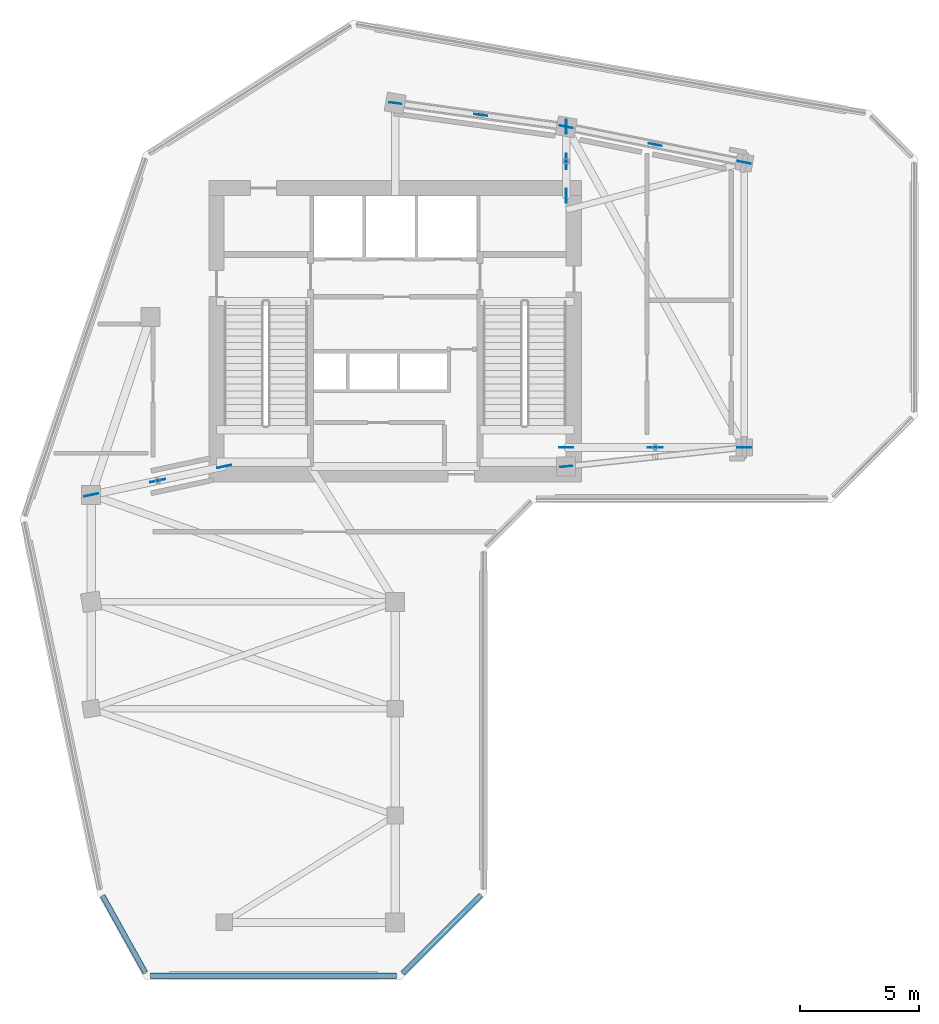
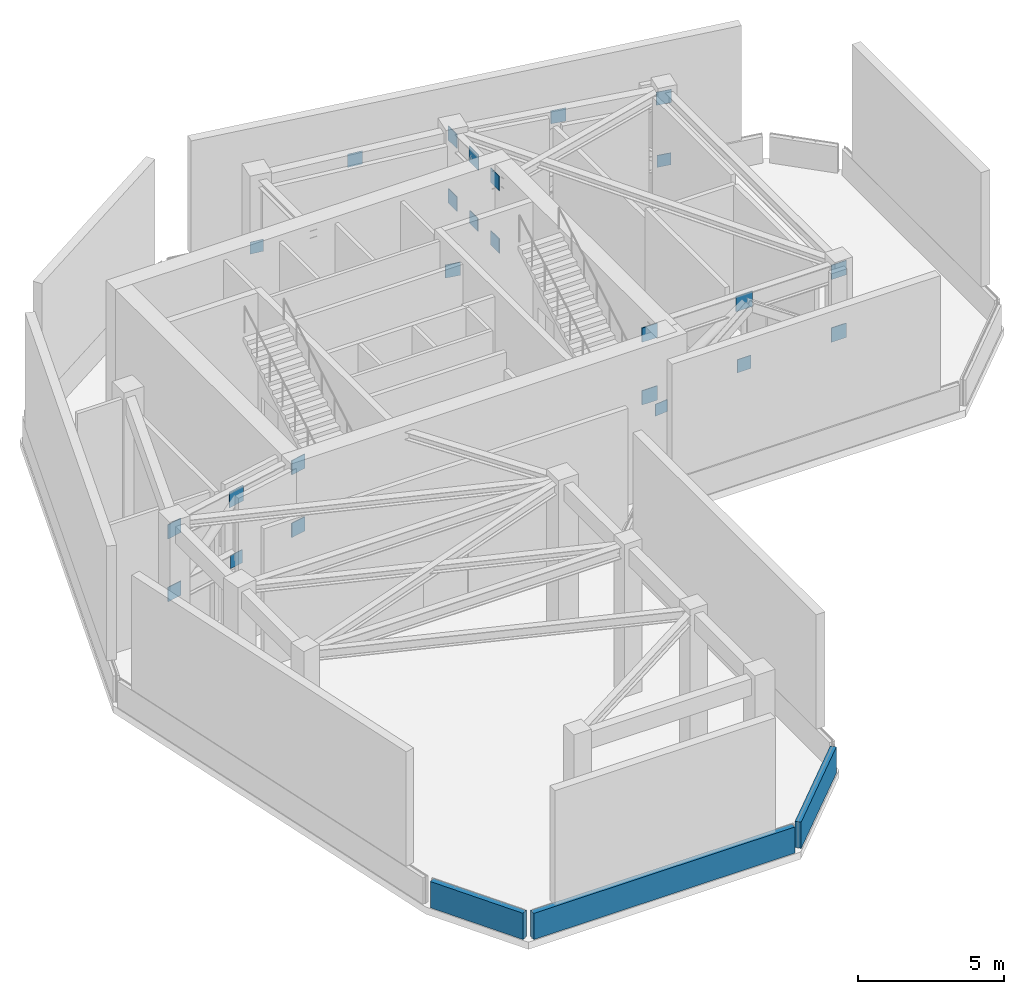
# One storey, part 5 of 10: 25 plates, 3 walls.
"""IFC4 building model written with IfcOpenShell, lengths in metres."""

from ifc_helpers import new_model, si_unit, direction, frame, frame_2d, origin, origin_2d, place, context, subcontext, project, spatial, rectangle, extrude, source, transform, mapped, material, layer, layer_set, type_object, element, save


model = new_model("IFC4")

# Units and contexts
model_context = context("Model", 3, precision=1e-05, world=origin(), true_north=direction((0.0, 1.0)))
body_context = subcontext(model_context, "Body", "Model", "MODEL_VIEW")
ifc_project = project(units=[si_unit("LENGTHUNIT", "METRE"), si_unit("AREAUNIT", "SQUARE_METRE"), si_unit("VOLUMEUNIT", "CUBIC_METRE"), si_unit("PLANEANGLEUNIT", "RADIAN"), si_unit("MASSUNIT", "GRAM", prefix="KILO")], contexts=[model_context])

# Site, building, storey
site_placement = place(None, origin())
site = spatial("IfcSite", under=ifc_project, at=site_placement, CompositionType="ELEMENT")
building_placement = place(site_placement, origin())
building = spatial("IfcBuilding", under=site, at=building_placement, Name="Calvemar Wedge Station Tower", CompositionType="ELEMENT")
storey_placement = place(building_placement, frame((0.0, 0.0, 242.89990234375)))
storey = spatial("IfcBuildingStorey", under=building, at=storey_placement, Name="L62", CompositionType="ELEMENT", Elevation=242.89990234375)

# Plates
ifc_material_1 = material(Name="Structural steel ASTM A572 Grade 50", Category="steel")
ifc_layer_1 = layer(ifc_material_1, 0.031982421875)
ifc_layer_set_1 = layer_set([ifc_layer_1], Name="Structural steel ASTM A572 Grade 50")
plate_type_1 = type_object("IfcPlateType", Name="PL-NP-32", PredefinedType="USERDEFINED", material=ifc_layer_set_1)
shared_shape_1 = source(origin(), body_context, "Body", "SweptSolid", [
    extrude(rectangle(XDim=0.64990234375, YDim=0.031982421875, at=origin_2d()), origin(), (0.0, 0.0, 1.0), 0.64990234375),
])
for number, where, z_axis, x_axis, name in (
    (1, (34.75, 35.0, 5.438720703125), (0.0, 0.0, 1.0), (1.0, 0.0, 0.0), "L62 Outrigger OT-E Gusset Plate"),
    (2, (13.800048828125, 33.60009765625, 5.438720703125), (0.0, 0.0, 1.0), (-0.977819807207, -0.209447904343, 0.0), "L62 Outrigger OT-W Gusset Plate"),
    (3, (31.0, 47.050048828125, 5.438720703125), (0.0, 0.0, 1.0), (0.0, 1.0, 0.0), "L62 Outrigger OT-N Gusset Plate"),
):
    element("IfcPlate", number, at=place(storey_placement, frame(where, z_axis=z_axis, x_axis=x_axis)), inside=storey, type_object=plate_type_1, Name=name, ObjectType="GUSSET PLATE", PredefinedType="USERDEFINED", context=body_context, shape_type="MappedRepresentation", body=[
        mapped(shared_shape_1, transform((0.0, 0.0, 0.0), scale=1.0)),
    ])
shared_shape_2 = source(origin(), body_context, "Body", "SweptSolid", [
    extrude(rectangle(XDim=0.60009765625, YDim=0.031982421875, at=origin_2d()), origin(), (0.0, 0.0, 1.0), 0.60009765625),
])
for number, where, z_axis, x_axis, name in (
    (4, (31.0, 35.0, 2.836669921875), (0.0, 0.0, 1.0), (1.0, 0.0, 0.0), "L62 Outrigger OT-E Core Gusset Plate"),
    (5, (31.0, 35.0, 5.463623046875), (0.0, 0.0, 1.0), (1.0, 0.0, 0.0), "L62 Outrigger OT-E Core Top Embed Plate"),
    (6, (38.5, 35.0, 2.836669921875), (0.0, 0.0, 1.0), (1.0, 0.0, 0.0), "L62 Outrigger OT-E Column Gusset Plate"),
    (7, (38.5, 35.0, 5.463623046875), (0.0, 0.0, 1.0), (1.0, 0.0, 0.0), "L62 Outrigger OT-E Column Top Gusset Plate"),
    (8, (16.60009765625, 34.199951171875, 2.836669921875), (0.0, 0.0, 1.0), (-0.977819807207, -0.209447904343, 0.0), "L62 Outrigger OT-W Core Gusset Plate"),
    (9, (16.60009765625, 34.199951171875, 5.463623046875), (0.0, 0.0, 1.0), (-0.977819807207, -0.209447904343, 0.0), "L62 Outrigger OT-W Core Top Embed Plate"),
    (10, (11.0, 33.0, 2.836669921875), (0.0, 0.0, 1.0), (-0.977819807207, -0.209447904343, 0.0), "L62 Outrigger OT-W Column Gusset Plate"),
    (11, (11.0, 33.0, 5.463623046875), (0.0, 0.0, 1.0), (-0.977819807207, -0.209447904343, 0.0), "L62 Outrigger OT-W Column Top Gusset Plate"),
    (12, (31.0, 45.60009765625, 2.836669921875), (0.0, 0.0, 1.0), (0.0, 1.0, 0.0), "L62 Outrigger OT-N Core Gusset Plate"),
    (13, (31.0, 45.60009765625, 5.463623046875), (0.0, 0.0, 1.0), (0.0, 1.0, 0.0), "L62 Outrigger OT-N Core Top Embed Plate"),
    (14, (31.0, 48.5, 2.836669921875), (0.0, 0.0, 1.0), (0.0, 1.0, 0.0), "L62 Outrigger OT-N Column Gusset Plate"),
    (15, (31.0, 48.5, 5.463623046875), (0.0, 0.0, 1.0), (0.0, 1.0, 0.0), "L62 Outrigger OT-N Column Top Gusset Plate"),
):
    element("IfcPlate", number, at=place(storey_placement, frame(where, z_axis=z_axis, x_axis=x_axis)), inside=storey, type_object=plate_type_1, Name=name, ObjectType="GUSSET PLATE", PredefinedType="USERDEFINED", context=body_context, shape_type="MappedRepresentation", body=[
        mapped(shared_shape_2, transform((0.0, 0.0, 0.0), scale=1.0)),
    ])
ifc_layer_2 = layer(ifc_material_1, 0.02490234375)
ifc_layer_set_2 = layer_set([ifc_layer_2], Name="Structural steel ASTM A572 Grade 50")
plate_type_2 = type_object("IfcPlateType", Name="PL-NP-25", PredefinedType="USERDEFINED", material=ifc_layer_set_2)
shared_shape_3 = source(origin(), body_context, "Body", "SweptSolid", [
    extrude(rectangle(XDim=0.550048828125, YDim=0.02490234375, at=origin_2d()), origin(), (0.0, 0.0, 1.0), 0.550048828125),
])
for number, where, z_axis, x_axis, name in (
    (16, (31.0, 48.5, -0.07470703125), (0.0, 0.0, 1.0), (0.980580444557, -0.196117290802, 0.0), "L62 Shift Strut Base Gusset"),
    (17, (38.5, 47.0, 5.4501953125), (0.0, 0.0, 1.0), (0.980580444557, -0.196117290802, 0.0), "L62 Shift Strut Head Gusset"),
    (18, (34.75, 35.0, 2.86181640625), (0.0, 0.0, 1.0), (1.0, 0.0, 0.0), "L62 Outrigger OT-E Mid Gusset Plate"),
    (19, (13.800048828125, 33.60009765625, 2.86181640625), (0.0, 0.0, 1.0), (-0.977819807207, -0.209447904343, 0.0), "L62 Outrigger OT-W Mid Gusset Plate"),
    (20, (31.0, 47.050048828125, 2.86181640625), (0.0, 0.0, 1.0), (0.0, 1.0, 0.0), "L62 Outrigger OT-N Mid Gusset Plate"),
    (21, (27.39990234375, 49.0, 5.53125), (0.0, 0.0, 1.0), (0.990485459553, -0.137617420457, 0.0), "L62 Belt Truss Node Plate 1"),
    (22, (34.75, 47.75, 5.53125), (0.0, 0.0, 1.0), (0.980580444557, -0.196117290802, 0.0), "L62 Belt Truss Node Plate 2"),
):
    element("IfcPlate", number, at=place(storey_placement, frame(where, z_axis=z_axis, x_axis=x_axis)), inside=storey, type_object=plate_type_2, Name=name, ObjectType="GUSSET PLATE", PredefinedType="USERDEFINED", context=body_context, shape_type="MappedRepresentation", body=[
        mapped(shared_shape_3, transform((0.0, 0.0, 0.0), scale=1.0)),
    ])
shared_shape_4 = source(origin(), body_context, "Body", "SweptSolid", [
    extrude(rectangle(XDim=0.5, YDim=0.02490234375, at=origin_2d()), origin(), (0.0, 0.0, 1.0), 0.5),
])
for number, where, z_axis, x_axis, name in (
    (23, (23.800048828125, 49.5, 2.843994140625), (0.0, 0.0, 1.0), (0.990485459553, -0.137617420457, 0.0), "L62 Belt Truss End Plate 1L"),
    (24, (38.5, 47.0, 2.843994140625), (0.0, 0.0, 1.0), (0.980580444557, -0.196117290802, 0.0), "L62 Belt Truss End Plate 2R"),
    (25, (31.0, 34.199951171875, 2.843994140625), (0.0, 0.0, 1.0), (0.994356475568, 0.106090525009, 0.0), "L62 Belt Truss End Plate 4L"),
):
    element("IfcPlate", number, at=place(storey_placement, frame(where, z_axis=z_axis, x_axis=x_axis)), inside=storey, type_object=plate_type_2, Name=name, ObjectType="GUSSET PLATE", PredefinedType="USERDEFINED", context=body_context, shape_type="MappedRepresentation", body=[
        mapped(shared_shape_4, transform((0.0, 0.0, 0.0), scale=1.0)),
    ])

# Walls
ifc_material_2 = material(Name="Precast concrete C45", Category="concrete")
ifc_layer_3 = layer(ifc_material_2, 0.219970703125)
ifc_layer_set_3 = layer_set([ifc_layer_3], Name="Precast concrete C45")
wall_type = type_object("IfcWallType", Name="W-PARA-220", PredefinedType="PARAPET", material=ifc_layer_set_3)
wall_1_placement = place(storey_placement, frame((11.47900390625, 16.12158203125, 0.0), z_axis=(0.0, 0.0, 1.0), x_axis=(0.48564852302, -0.87415416952, 0.0)))
element("IfcWall", 26, at=wall_1_placement, inside=storey, type_object=wall_type, Name="Wind Floor L62 Acoustic Curb Wall 1", PredefinedType="PARAPET", context=body_context, shape_type="SweptSolid", body=[
    extrude(rectangle(XDim=3.70703125, YDim=0.219970703125, at=frame_2d((1.853515625, 0.0))), origin(), (0.0, 0.0, 1.0), 1.10009765625),
])
wall_2_placement = place(storey_placement, frame((13.502197265625, 12.75, 0.0), z_axis=(0.0, 0.0, 1.0), x_axis=(1.0, 0.0, 0.0)))
element("IfcWall", 27, at=wall_2_placement, inside=storey, type_object=wall_type, Name="Wind Floor L62 Acoustic Curb Wall 2", PredefinedType="PARAPET", context=body_context, shape_type="SweptSolid", body=[
    extrude(rectangle(XDim=10.349609375, YDim=0.219970703125, at=frame_2d((5.1748046875, 0.0))), origin(), (0.0, 0.0, 1.0), 1.10009765625),
])
wall_3_placement = place(storey_placement, frame((24.10791015625, 12.856201171875, 0.0), z_axis=(0.0, 0.0, 1.0), x_axis=(0.707132937873, 0.707080623533, 0.0)))
element("IfcWall", 28, at=wall_3_placement, inside=storey, type_object=wall_type, Name="Wind Floor L62 Acoustic Curb Wall 3", PredefinedType="PARAPET", context=body_context, shape_type="SweptSolid", body=[
    extrude(rectangle(XDim=4.666748046875, YDim=0.219970703125, at=frame_2d((2.33349609375, 0.0))), origin(), (0.0, 0.0, 1.0), 1.10009765625),
])

save(model, "model.ifc")
